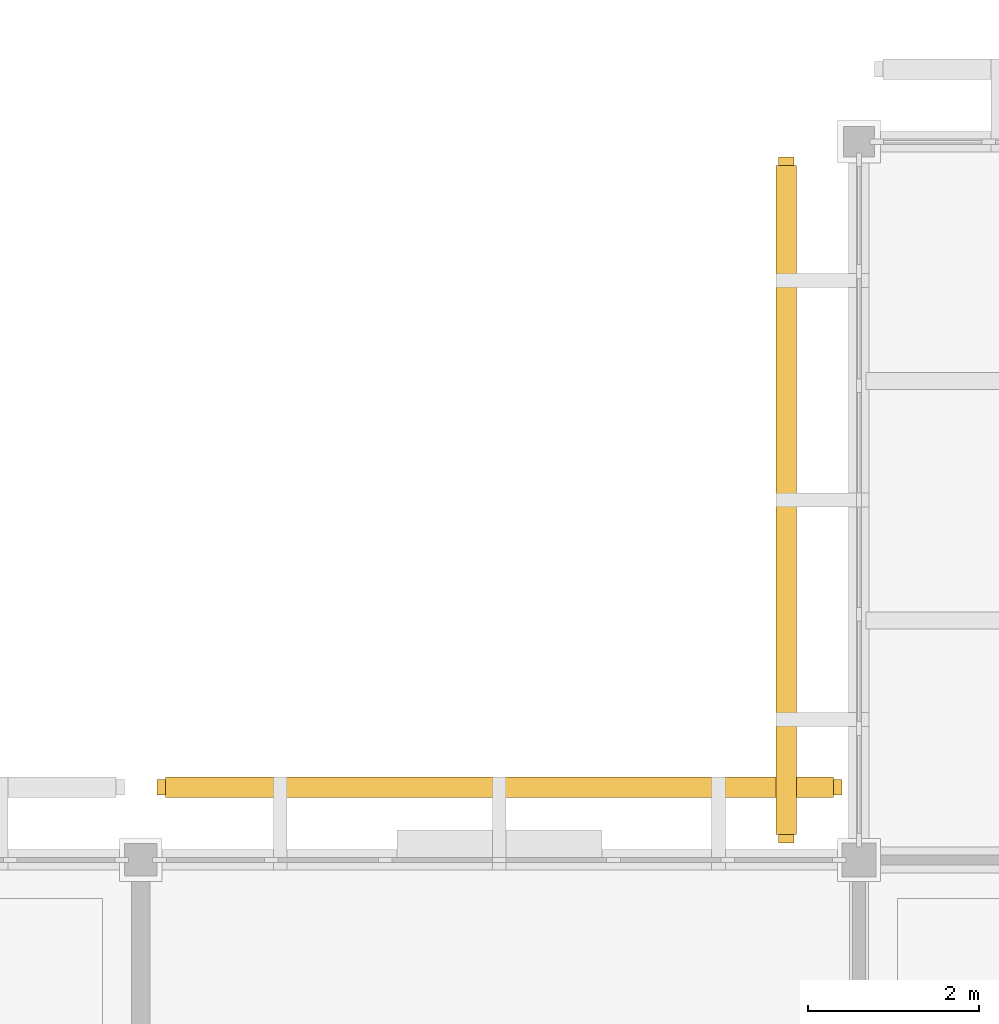
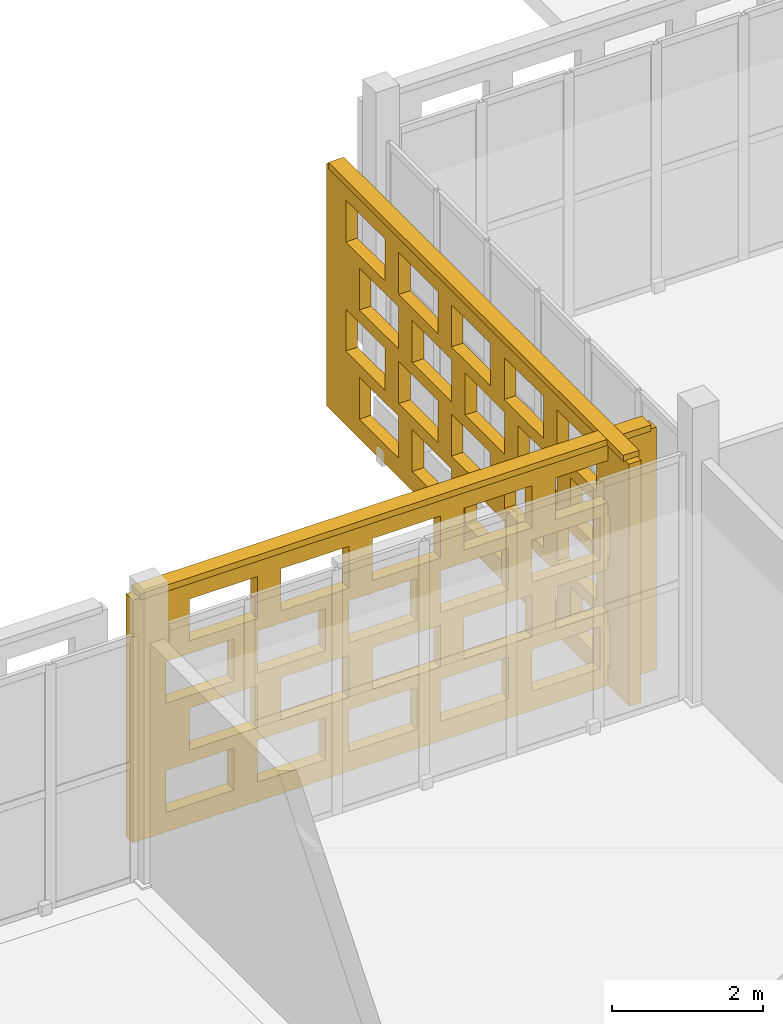
# One storey, part 156 of 203: 2 coverings, 2 shading devices, 40 openings.
"""IFC4 building model written with IfcOpenShell, lengths in metres."""

from ifc_helpers import new_model, si_unit, direction, frame, frame_2d, origin, origin_2d, place, context, subcontext, project, spatial, rectangle, extrude, material, layer, layer_set, type_object, element, save


model = new_model("IFC4")

# Units and contexts
model_context = context("Model", 3, precision=1e-05, world=origin(), true_north=direction((0.0, 1.0)))
body_context = subcontext(model_context, "Body", "Model", "MODEL_VIEW")
ifc_project = project(units=[si_unit("LENGTHUNIT", "METRE"), si_unit("AREAUNIT", "SQUARE_METRE"), si_unit("VOLUMEUNIT", "CUBIC_METRE"), si_unit("PLANEANGLEUNIT", "RADIAN"), si_unit("MASSUNIT", "GRAM", prefix="KILO")], contexts=[model_context])

# Site, building, storey
site_placement = place(None, origin())
site = spatial("IfcSite", under=ifc_project, at=site_placement, CompositionType="ELEMENT")
building_placement = place(site_placement, origin())
building = spatial("IfcBuilding", under=site, at=building_placement, Name="Varnapada Polytechnic", CompositionType="ELEMENT")
storey_placement = place(building_placement, frame((0.0, 0.0, 4.800048828125)))
storey = spatial("IfcBuildingStorey", under=building, at=storey_placement, Name="L01", CompositionType="ELEMENT", Elevation=4.800048828125)

# Covering, openings
ifc_material = material(Name="Earth-toned architectural terracotta screen block", Category="masonry")
ifc_layer_1 = layer(ifc_material, 0.1201171875)
ifc_layer_set_1 = layer_set([ifc_layer_1], Name="Earth-toned architectural terracotta screen block")
covering_type = type_object("IfcCoveringType", Name="Terracotta Screen Cladding CLD-01", PredefinedType="CLADDING", material=ifc_layer_set_1)
covering_1_placement = place(storey_placement, frame((117.7900390625, 42.85009765625, 0.0), z_axis=(0.0, 0.0, 1.0), x_axis=(1.0, 0.0, 0.0)))
covering_1 = element("IfcCovering", 1, at=covering_1_placement, inside=storey, type_object=covering_type, Name="L01 perforated terracotta block screen (97)", PredefinedType="CLADDING", context=body_context, shape_type="SweptSolid", body=[
    extrude(rectangle(XDim=8.010009765625, YDim=0.179931640625, at=frame_2d((4.0048828125, 0.0))), origin(), (0.0, 0.0, 1.0), 3.919921875),
])
opening_1_placement = place(covering_1_placement, frame((0.5048828125, 0.0, 0.313720703125)))
element("IfcOpeningElement", 2, at=opening_1_placement, cuts=covering_1, Name="Screen perforation TBS-L01-096.1", PredefinedType="OPENING", context=body_context, shape_type="SweptSolid", body=[
    extrude(rectangle(XDim=1.0400390625, YDim=0.679931640625, at=frame_2d((0.52001953125, 0.33984375))), frame((0.0, 0.099853515625, 0.0), z_axis=(0.0, -1.0, 0.0), x_axis=(1.0, 0.0, 0.0)), (0.0, 0.0, 1.0), 0.199951171875),
])
opening_2_placement = place(covering_1_placement, frame((1.905029296875, 0.0, 0.313720703125)))
element("IfcOpeningElement", 3, at=opening_2_placement, cuts=covering_1, Name="Screen perforation TBS-L01-096.2", PredefinedType="OPENING", context=body_context, shape_type="SweptSolid", body=[
    extrude(rectangle(XDim=1.0400390625, YDim=0.679931640625, at=frame_2d((0.52001953125, 0.33984375))), frame((0.0, 0.099853515625, 0.0), z_axis=(0.0, -1.0, 0.0), x_axis=(1.0, 0.0, 0.0)), (0.0, 0.0, 1.0), 0.199951171875),
])
opening_3_placement = place(covering_1_placement, frame((3.304931640625, 0.0, 0.313720703125)))
element("IfcOpeningElement", 4, at=opening_3_placement, cuts=covering_1, Name="Screen perforation TBS-L01-096.3", PredefinedType="OPENING", context=body_context, shape_type="SweptSolid", body=[
    extrude(rectangle(XDim=1.0400390625, YDim=0.679931640625, at=frame_2d((0.52001953125, 0.33984375))), frame((0.0, 0.099853515625, 0.0), z_axis=(0.0, -1.0, 0.0), x_axis=(1.0, 0.0, 0.0)), (0.0, 0.0, 1.0), 0.199951171875),
])
opening_4_placement = place(covering_1_placement, frame((4.705078125, 0.0, 0.313720703125)))
element("IfcOpeningElement", 5, at=opening_4_placement, cuts=covering_1, Name="Screen perforation TBS-L01-096.4", PredefinedType="OPENING", context=body_context, shape_type="SweptSolid", body=[
    extrude(rectangle(XDim=1.0400390625, YDim=0.679931640625, at=frame_2d((0.52001953125, 0.33984375))), frame((0.0, 0.099853515625, 0.0), z_axis=(0.0, -1.0, 0.0), x_axis=(1.0, 0.0, 0.0)), (0.0, 0.0, 1.0), 0.199951171875),
])
opening_5_placement = place(covering_1_placement, frame((6.10498046875, 0.0, 0.313720703125)))
element("IfcOpeningElement", 6, at=opening_5_placement, cuts=covering_1, Name="Screen perforation TBS-L01-096.5", PredefinedType="OPENING", context=body_context, shape_type="SweptSolid", body=[
    extrude(rectangle(XDim=1.0400390625, YDim=0.679931640625, at=frame_2d((0.52001953125, 0.33984375))), frame((0.0, 0.099853515625, 0.0), z_axis=(0.0, -1.0, 0.0), x_axis=(1.0, 0.0, 0.0)), (0.0, 0.0, 1.0), 0.199951171875),
])
opening_6_placement = place(covering_1_placement, frame((0.864990234375, 0.0, 1.195556640625)))
element("IfcOpeningElement", 7, at=opening_6_placement, cuts=covering_1, Name="Screen perforation TBS-L01-096.6", PredefinedType="OPENING", context=body_context, shape_type="SweptSolid", body=[
    extrude(rectangle(XDim=1.0400390625, YDim=0.679931640625, at=frame_2d((0.52001953125, 0.33984375))), frame((0.0, 0.099853515625, 0.0), z_axis=(0.0, -1.0, 0.0), x_axis=(1.0, 0.0, 0.0)), (0.0, 0.0, 1.0), 0.199951171875),
])
opening_7_placement = place(covering_1_placement, frame((2.264892578125, 0.0, 1.195556640625)))
element("IfcOpeningElement", 8, at=opening_7_placement, cuts=covering_1, Name="Screen perforation TBS-L01-096.7", PredefinedType="OPENING", context=body_context, shape_type="SweptSolid", body=[
    extrude(rectangle(XDim=1.0400390625, YDim=0.679931640625, at=frame_2d((0.52001953125, 0.33984375))), frame((0.0, 0.099853515625, 0.0), z_axis=(0.0, -1.0, 0.0), x_axis=(1.0, 0.0, 0.0)), (0.0, 0.0, 1.0), 0.199951171875),
])
opening_8_placement = place(covering_1_placement, frame((3.6650390625, 0.0, 1.195556640625)))
element("IfcOpeningElement", 9, at=opening_8_placement, cuts=covering_1, Name="Screen perforation TBS-L01-096.8", PredefinedType="OPENING", context=body_context, shape_type="SweptSolid", body=[
    extrude(rectangle(XDim=1.0400390625, YDim=0.679931640625, at=frame_2d((0.52001953125, 0.33984375))), frame((0.0, 0.099853515625, 0.0), z_axis=(0.0, -1.0, 0.0), x_axis=(1.0, 0.0, 0.0)), (0.0, 0.0, 1.0), 0.199951171875),
])
opening_9_placement = place(covering_1_placement, frame((5.06494140625, 0.0, 1.195556640625)))
element("IfcOpeningElement", 10, at=opening_9_placement, cuts=covering_1, Name="Screen perforation TBS-L01-096.9", PredefinedType="OPENING", context=body_context, shape_type="SweptSolid", body=[
    extrude(rectangle(XDim=1.0400390625, YDim=0.679931640625, at=frame_2d((0.52001953125, 0.33984375))), frame((0.0, 0.099853515625, 0.0), z_axis=(0.0, -1.0, 0.0), x_axis=(1.0, 0.0, 0.0)), (0.0, 0.0, 1.0), 0.199951171875),
])
opening_10_placement = place(covering_1_placement, frame((6.465087890625, 0.0, 1.195556640625)))
element("IfcOpeningElement", 11, at=opening_10_placement, cuts=covering_1, Name="Screen perforation TBS-L01-096.10", PredefinedType="OPENING", context=body_context, shape_type="SweptSolid", body=[
    extrude(rectangle(XDim=1.0400390625, YDim=0.679931640625, at=frame_2d((0.52001953125, 0.33984375))), frame((0.0, 0.099853515625, 0.0), z_axis=(0.0, -1.0, 0.0), x_axis=(1.0, 0.0, 0.0)), (0.0, 0.0, 1.0), 0.199951171875),
])
opening_11_placement = place(covering_1_placement, frame((0.5048828125, 0.0, 2.07763671875)))
element("IfcOpeningElement", 12, at=opening_11_placement, cuts=covering_1, Name="Screen perforation TBS-L01-096.11", PredefinedType="OPENING", context=body_context, shape_type="SweptSolid", body=[
    extrude(rectangle(XDim=1.0400390625, YDim=0.679931640625, at=frame_2d((0.52001953125, 0.33984375))), frame((0.0, 0.099853515625, 0.0), z_axis=(0.0, -1.0, 0.0), x_axis=(1.0, 0.0, 0.0)), (0.0, 0.0, 1.0), 0.199951171875),
])
opening_12_placement = place(covering_1_placement, frame((1.905029296875, 0.0, 2.07763671875)))
element("IfcOpeningElement", 13, at=opening_12_placement, cuts=covering_1, Name="Screen perforation TBS-L01-096.12", PredefinedType="OPENING", context=body_context, shape_type="SweptSolid", body=[
    extrude(rectangle(XDim=1.0400390625, YDim=0.679931640625, at=frame_2d((0.52001953125, 0.33984375))), frame((0.0, 0.099853515625, 0.0), z_axis=(0.0, -1.0, 0.0), x_axis=(1.0, 0.0, 0.0)), (0.0, 0.0, 1.0), 0.199951171875),
])
opening_13_placement = place(covering_1_placement, frame((3.304931640625, 0.0, 2.07763671875)))
element("IfcOpeningElement", 14, at=opening_13_placement, cuts=covering_1, Name="Screen perforation TBS-L01-096.13", PredefinedType="OPENING", context=body_context, shape_type="SweptSolid", body=[
    extrude(rectangle(XDim=1.0400390625, YDim=0.679931640625, at=frame_2d((0.52001953125, 0.33984375))), frame((0.0, 0.099853515625, 0.0), z_axis=(0.0, -1.0, 0.0), x_axis=(1.0, 0.0, 0.0)), (0.0, 0.0, 1.0), 0.199951171875),
])
opening_14_placement = place(covering_1_placement, frame((4.705078125, 0.0, 2.07763671875)))
element("IfcOpeningElement", 15, at=opening_14_placement, cuts=covering_1, Name="Screen perforation TBS-L01-096.14", PredefinedType="OPENING", context=body_context, shape_type="SweptSolid", body=[
    extrude(rectangle(XDim=1.0400390625, YDim=0.679931640625, at=frame_2d((0.52001953125, 0.33984375))), frame((0.0, 0.099853515625, 0.0), z_axis=(0.0, -1.0, 0.0), x_axis=(1.0, 0.0, 0.0)), (0.0, 0.0, 1.0), 0.199951171875),
])
opening_15_placement = place(covering_1_placement, frame((6.10498046875, 0.0, 2.07763671875)))
element("IfcOpeningElement", 16, at=opening_15_placement, cuts=covering_1, Name="Screen perforation TBS-L01-096.15", PredefinedType="OPENING", context=body_context, shape_type="SweptSolid", body=[
    extrude(rectangle(XDim=1.0400390625, YDim=0.679931640625, at=frame_2d((0.52001953125, 0.33984375))), frame((0.0, 0.099853515625, 0.0), z_axis=(0.0, -1.0, 0.0), x_axis=(1.0, 0.0, 0.0)), (0.0, 0.0, 1.0), 0.199951171875),
])
opening_16_placement = place(covering_1_placement, frame((0.864990234375, 0.0, 2.959716796875)))
element("IfcOpeningElement", 17, at=opening_16_placement, cuts=covering_1, Name="Screen perforation TBS-L01-096.16", PredefinedType="OPENING", context=body_context, shape_type="SweptSolid", body=[
    extrude(rectangle(XDim=1.0400390625, YDim=0.679931640625, at=frame_2d((0.52001953125, 0.33984375))), frame((0.0, 0.099853515625, 0.0), z_axis=(0.0, -1.0, 0.0), x_axis=(1.0, 0.0, 0.0)), (0.0, 0.0, 1.0), 0.199951171875),
])
opening_17_placement = place(covering_1_placement, frame((2.264892578125, 0.0, 2.959716796875)))
element("IfcOpeningElement", 18, at=opening_17_placement, cuts=covering_1, Name="Screen perforation TBS-L01-096.17", PredefinedType="OPENING", context=body_context, shape_type="SweptSolid", body=[
    extrude(rectangle(XDim=1.0400390625, YDim=0.679931640625, at=frame_2d((0.52001953125, 0.33984375))), frame((0.0, 0.099853515625, 0.0), z_axis=(0.0, -1.0, 0.0), x_axis=(1.0, 0.0, 0.0)), (0.0, 0.0, 1.0), 0.199951171875),
])
opening_18_placement = place(covering_1_placement, frame((3.6650390625, 0.0, 2.959716796875)))
element("IfcOpeningElement", 19, at=opening_18_placement, cuts=covering_1, Name="Screen perforation TBS-L01-096.18", PredefinedType="OPENING", context=body_context, shape_type="SweptSolid", body=[
    extrude(rectangle(XDim=1.0400390625, YDim=0.679931640625, at=frame_2d((0.52001953125, 0.33984375))), frame((0.0, 0.099853515625, 0.0), z_axis=(0.0, -1.0, 0.0), x_axis=(1.0, 0.0, 0.0)), (0.0, 0.0, 1.0), 0.199951171875),
])
opening_19_placement = place(covering_1_placement, frame((5.06494140625, 0.0, 2.959716796875)))
element("IfcOpeningElement", 20, at=opening_19_placement, cuts=covering_1, Name="Screen perforation TBS-L01-096.19", PredefinedType="OPENING", context=body_context, shape_type="SweptSolid", body=[
    extrude(rectangle(XDim=1.0400390625, YDim=0.679931640625, at=frame_2d((0.52001953125, 0.33984375))), frame((0.0, 0.099853515625, 0.0), z_axis=(0.0, -1.0, 0.0), x_axis=(1.0, 0.0, 0.0)), (0.0, 0.0, 1.0), 0.199951171875),
])
opening_20_placement = place(covering_1_placement, frame((6.465087890625, 0.0, 2.959716796875)))
element("IfcOpeningElement", 21, at=opening_20_placement, cuts=covering_1, Name="Screen perforation TBS-L01-096.20", PredefinedType="OPENING", context=body_context, shape_type="SweptSolid", body=[
    extrude(rectangle(XDim=1.0400390625, YDim=0.679931640625, at=frame_2d((0.52001953125, 0.33984375))), frame((0.0, 0.099853515625, 0.0), z_axis=(0.0, -1.0, 0.0), x_axis=(1.0, 0.0, 0.0)), (0.0, 0.0, 1.0), 0.199951171875),
])

covering_2_placement = place(storey_placement, frame((125.14990234375, 42.199951171875, 0.0), z_axis=(0.0, 0.0, 1.0), x_axis=(0.0, 1.0, 0.0)))
covering_2 = element("IfcCovering", 22, at=covering_2_placement, inside=storey, type_object=covering_type, Name="L01 perforated terracotta block screen (106)", PredefinedType="CLADDING", context=body_context, shape_type="SweptSolid", body=[
    extrude(rectangle(XDim=8.02001953125, YDim=0.179931640625, at=frame_2d((4.010009765625, 0.0))), origin(), (0.0, 0.0, 1.0), 3.919921875),
])
opening_21_placement = place(covering_2_placement, frame((0.510009765625, 0.0, 0.313720703125)))
element("IfcOpeningElement", 23, at=opening_21_placement, cuts=covering_2, Name="Screen perforation TBS-L01-105.1", PredefinedType="OPENING", context=body_context, shape_type="SweptSolid", body=[
    extrude(rectangle(XDim=1.0400390625, YDim=0.679931640625, at=frame_2d((0.52001953125, 0.33984375))), frame((0.0, 0.099853515625, 0.0), z_axis=(0.0, -1.0, 0.0), x_axis=(1.0, 0.0, 0.0)), (0.0, 0.0, 1.0), 0.199951171875),
])
opening_22_placement = place(covering_2_placement, frame((1.909912109375, 0.0, 0.313720703125)))
element("IfcOpeningElement", 24, at=opening_22_placement, cuts=covering_2, Name="Screen perforation TBS-L01-105.2", PredefinedType="OPENING", context=body_context, shape_type="SweptSolid", body=[
    extrude(rectangle(XDim=1.0400390625, YDim=0.679931640625, at=frame_2d((0.52001953125, 0.33984375))), frame((0.0, 0.099853515625, 0.0), z_axis=(0.0, -1.0, 0.0), x_axis=(1.0, 0.0, 0.0)), (0.0, 0.0, 1.0), 0.199951171875),
])
opening_23_placement = place(covering_2_placement, frame((3.31005859375, 0.0, 0.313720703125)))
element("IfcOpeningElement", 25, at=opening_23_placement, cuts=covering_2, Name="Screen perforation TBS-L01-105.3", PredefinedType="OPENING", context=body_context, shape_type="SweptSolid", body=[
    extrude(rectangle(XDim=1.0400390625, YDim=0.679931640625, at=frame_2d((0.52001953125, 0.33984375))), frame((0.0, 0.099853515625, 0.0), z_axis=(0.0, -1.0, 0.0), x_axis=(1.0, 0.0, 0.0)), (0.0, 0.0, 1.0), 0.199951171875),
])
opening_24_placement = place(covering_2_placement, frame((4.7099609375, 0.0, 0.313720703125)))
element("IfcOpeningElement", 26, at=opening_24_placement, cuts=covering_2, Name="Screen perforation TBS-L01-105.4", PredefinedType="OPENING", context=body_context, shape_type="SweptSolid", body=[
    extrude(rectangle(XDim=1.0400390625, YDim=0.679931640625, at=frame_2d((0.52001953125, 0.33984375))), frame((0.0, 0.099853515625, 0.0), z_axis=(0.0, -1.0, 0.0), x_axis=(1.0, 0.0, 0.0)), (0.0, 0.0, 1.0), 0.199951171875),
])
opening_25_placement = place(covering_2_placement, frame((6.110107421875, 0.0, 0.313720703125)))
element("IfcOpeningElement", 27, at=opening_25_placement, cuts=covering_2, Name="Screen perforation TBS-L01-105.5", PredefinedType="OPENING", context=body_context, shape_type="SweptSolid", body=[
    extrude(rectangle(XDim=1.0400390625, YDim=0.679931640625, at=frame_2d((0.52001953125, 0.33984375))), frame((0.0, 0.099853515625, 0.0), z_axis=(0.0, -1.0, 0.0), x_axis=(1.0, 0.0, 0.0)), (0.0, 0.0, 1.0), 0.199951171875),
])
opening_26_placement = place(covering_2_placement, frame((0.8701171875, 0.0, 1.195556640625)))
element("IfcOpeningElement", 28, at=opening_26_placement, cuts=covering_2, Name="Screen perforation TBS-L01-105.6", PredefinedType="OPENING", context=body_context, shape_type="SweptSolid", body=[
    extrude(rectangle(XDim=1.0400390625, YDim=0.679931640625, at=frame_2d((0.52001953125, 0.33984375))), frame((0.0, 0.099853515625, 0.0), z_axis=(0.0, -1.0, 0.0), x_axis=(1.0, 0.0, 0.0)), (0.0, 0.0, 1.0), 0.199951171875),
])
opening_27_placement = place(covering_2_placement, frame((2.27001953125, 0.0, 1.195556640625)))
element("IfcOpeningElement", 29, at=opening_27_placement, cuts=covering_2, Name="Screen perforation TBS-L01-105.7", PredefinedType="OPENING", context=body_context, shape_type="SweptSolid", body=[
    extrude(rectangle(XDim=1.0400390625, YDim=0.679931640625, at=frame_2d((0.52001953125, 0.33984375))), frame((0.0, 0.099853515625, 0.0), z_axis=(0.0, -1.0, 0.0), x_axis=(1.0, 0.0, 0.0)), (0.0, 0.0, 1.0), 0.199951171875),
])
opening_28_placement = place(covering_2_placement, frame((3.669921875, 0.0, 1.195556640625)))
element("IfcOpeningElement", 30, at=opening_28_placement, cuts=covering_2, Name="Screen perforation TBS-L01-105.8", PredefinedType="OPENING", context=body_context, shape_type="SweptSolid", body=[
    extrude(rectangle(XDim=1.0400390625, YDim=0.679931640625, at=frame_2d((0.52001953125, 0.33984375))), frame((0.0, 0.099853515625, 0.0), z_axis=(0.0, -1.0, 0.0), x_axis=(1.0, 0.0, 0.0)), (0.0, 0.0, 1.0), 0.199951171875),
])
opening_29_placement = place(covering_2_placement, frame((5.070068359375, 0.0, 1.195556640625)))
element("IfcOpeningElement", 31, at=opening_29_placement, cuts=covering_2, Name="Screen perforation TBS-L01-105.9", PredefinedType="OPENING", context=body_context, shape_type="SweptSolid", body=[
    extrude(rectangle(XDim=1.0400390625, YDim=0.679931640625, at=frame_2d((0.52001953125, 0.33984375))), frame((0.0, 0.099853515625, 0.0), z_axis=(0.0, -1.0, 0.0), x_axis=(1.0, 0.0, 0.0)), (0.0, 0.0, 1.0), 0.199951171875),
])
opening_30_placement = place(covering_2_placement, frame((6.469970703125, 0.0, 1.195556640625)))
element("IfcOpeningElement", 32, at=opening_30_placement, cuts=covering_2, Name="Screen perforation TBS-L01-105.10", PredefinedType="OPENING", context=body_context, shape_type="SweptSolid", body=[
    extrude(rectangle(XDim=1.0400390625, YDim=0.679931640625, at=frame_2d((0.52001953125, 0.33984375))), frame((0.0, 0.099853515625, 0.0), z_axis=(0.0, -1.0, 0.0), x_axis=(1.0, 0.0, 0.0)), (0.0, 0.0, 1.0), 0.199951171875),
])
opening_31_placement = place(covering_2_placement, frame((0.510009765625, 0.0, 2.07763671875)))
element("IfcOpeningElement", 33, at=opening_31_placement, cuts=covering_2, Name="Screen perforation TBS-L01-105.11", PredefinedType="OPENING", context=body_context, shape_type="SweptSolid", body=[
    extrude(rectangle(XDim=1.0400390625, YDim=0.679931640625, at=frame_2d((0.52001953125, 0.33984375))), frame((0.0, 0.099853515625, 0.0), z_axis=(0.0, -1.0, 0.0), x_axis=(1.0, 0.0, 0.0)), (0.0, 0.0, 1.0), 0.199951171875),
])
opening_32_placement = place(covering_2_placement, frame((1.909912109375, 0.0, 2.07763671875)))
element("IfcOpeningElement", 34, at=opening_32_placement, cuts=covering_2, Name="Screen perforation TBS-L01-105.12", PredefinedType="OPENING", context=body_context, shape_type="SweptSolid", body=[
    extrude(rectangle(XDim=1.0400390625, YDim=0.679931640625, at=frame_2d((0.52001953125, 0.33984375))), frame((0.0, 0.099853515625, 0.0), z_axis=(0.0, -1.0, 0.0), x_axis=(1.0, 0.0, 0.0)), (0.0, 0.0, 1.0), 0.199951171875),
])
opening_33_placement = place(covering_2_placement, frame((3.31005859375, 0.0, 2.07763671875)))
element("IfcOpeningElement", 35, at=opening_33_placement, cuts=covering_2, Name="Screen perforation TBS-L01-105.13", PredefinedType="OPENING", context=body_context, shape_type="SweptSolid", body=[
    extrude(rectangle(XDim=1.0400390625, YDim=0.679931640625, at=frame_2d((0.52001953125, 0.33984375))), frame((0.0, 0.099853515625, 0.0), z_axis=(0.0, -1.0, 0.0), x_axis=(1.0, 0.0, 0.0)), (0.0, 0.0, 1.0), 0.199951171875),
])
opening_34_placement = place(covering_2_placement, frame((4.7099609375, 0.0, 2.07763671875)))
element("IfcOpeningElement", 36, at=opening_34_placement, cuts=covering_2, Name="Screen perforation TBS-L01-105.14", PredefinedType="OPENING", context=body_context, shape_type="SweptSolid", body=[
    extrude(rectangle(XDim=1.0400390625, YDim=0.679931640625, at=frame_2d((0.52001953125, 0.33984375))), frame((0.0, 0.099853515625, 0.0), z_axis=(0.0, -1.0, 0.0), x_axis=(1.0, 0.0, 0.0)), (0.0, 0.0, 1.0), 0.199951171875),
])
opening_35_placement = place(covering_2_placement, frame((6.110107421875, 0.0, 2.07763671875)))
element("IfcOpeningElement", 37, at=opening_35_placement, cuts=covering_2, Name="Screen perforation TBS-L01-105.15", PredefinedType="OPENING", context=body_context, shape_type="SweptSolid", body=[
    extrude(rectangle(XDim=1.0400390625, YDim=0.679931640625, at=frame_2d((0.52001953125, 0.33984375))), frame((0.0, 0.099853515625, 0.0), z_axis=(0.0, -1.0, 0.0), x_axis=(1.0, 0.0, 0.0)), (0.0, 0.0, 1.0), 0.199951171875),
])
opening_36_placement = place(covering_2_placement, frame((0.8701171875, 0.0, 2.959716796875)))
element("IfcOpeningElement", 38, at=opening_36_placement, cuts=covering_2, Name="Screen perforation TBS-L01-105.16", PredefinedType="OPENING", context=body_context, shape_type="SweptSolid", body=[
    extrude(rectangle(XDim=1.0400390625, YDim=0.679931640625, at=frame_2d((0.52001953125, 0.33984375))), frame((0.0, 0.099853515625, 0.0), z_axis=(0.0, -1.0, 0.0), x_axis=(1.0, 0.0, 0.0)), (0.0, 0.0, 1.0), 0.199951171875),
])
opening_37_placement = place(covering_2_placement, frame((2.27001953125, 0.0, 2.959716796875)))
element("IfcOpeningElement", 39, at=opening_37_placement, cuts=covering_2, Name="Screen perforation TBS-L01-105.17", PredefinedType="OPENING", context=body_context, shape_type="SweptSolid", body=[
    extrude(rectangle(XDim=1.0400390625, YDim=0.679931640625, at=frame_2d((0.52001953125, 0.33984375))), frame((0.0, 0.099853515625, 0.0), z_axis=(0.0, -1.0, 0.0), x_axis=(1.0, 0.0, 0.0)), (0.0, 0.0, 1.0), 0.199951171875),
])
opening_38_placement = place(covering_2_placement, frame((3.669921875, 0.0, 2.959716796875)))
element("IfcOpeningElement", 40, at=opening_38_placement, cuts=covering_2, Name="Screen perforation TBS-L01-105.18", PredefinedType="OPENING", context=body_context, shape_type="SweptSolid", body=[
    extrude(rectangle(XDim=1.0400390625, YDim=0.679931640625, at=frame_2d((0.52001953125, 0.33984375))), frame((0.0, 0.099853515625, 0.0), z_axis=(0.0, -1.0, 0.0), x_axis=(1.0, 0.0, 0.0)), (0.0, 0.0, 1.0), 0.199951171875),
])
opening_39_placement = place(covering_2_placement, frame((5.070068359375, 0.0, 2.959716796875)))
element("IfcOpeningElement", 41, at=opening_39_placement, cuts=covering_2, Name="Screen perforation TBS-L01-105.19", PredefinedType="OPENING", context=body_context, shape_type="SweptSolid", body=[
    extrude(rectangle(XDim=1.0400390625, YDim=0.679931640625, at=frame_2d((0.52001953125, 0.33984375))), frame((0.0, 0.099853515625, 0.0), z_axis=(0.0, -1.0, 0.0), x_axis=(1.0, 0.0, 0.0)), (0.0, 0.0, 1.0), 0.199951171875),
])
opening_40_placement = place(covering_2_placement, frame((6.469970703125, 0.0, 2.959716796875)))
element("IfcOpeningElement", 42, at=opening_40_placement, cuts=covering_2, Name="Screen perforation TBS-L01-105.20", PredefinedType="OPENING", context=body_context, shape_type="SweptSolid", body=[
    extrude(rectangle(XDim=1.0400390625, YDim=0.679931640625, at=frame_2d((0.52001953125, 0.33984375))), frame((0.0, 0.099853515625, 0.0), z_axis=(0.0, -1.0, 0.0), x_axis=(1.0, 0.0, 0.0)), (0.0, 0.0, 1.0), 0.199951171875),
])

# Shading devices
ifc_layer_2 = layer(ifc_material, 0.179931640625)
ifc_layer_set_2 = layer_set([ifc_layer_2], Name="Earth-toned architectural terracotta screen block")
shading_device_type = type_object("IfcShadingDeviceType", Name="Terracotta Screen SCR-02", PredefinedType="USERDEFINED", material=ifc_layer_set_2)
shading_device_1_placement = place(storey_placement, frame((121.794921875, 42.85009765625, 3.909912109375), z_axis=(0.0, 0.0, 1.0), x_axis=(1.0, 0.0, 0.0)))
element("IfcShadingDevice", 43, at=shading_device_1_placement, inside=storey, type_object=shading_device_type, Name="L01 perforated terracotta screen hood 176", ObjectType="SCREEN", PredefinedType="USERDEFINED", context=body_context, shape_type="SweptSolid", body=[
    extrude(rectangle(XDim=7.81005859375, YDim=0.239990234375, at=origin_2d()), origin(), (0.0, 0.0, 1.0), 0.10009765625),
])
shading_device_2_placement = place(storey_placement, frame((125.14990234375, 46.2099609375, 3.909912109375), z_axis=(0.0, 0.0, 1.0), x_axis=(0.0, 1.0, 0.0)))
element("IfcShadingDevice", 44, at=shading_device_2_placement, inside=storey, type_object=shading_device_type, Name="L01 perforated terracotta screen hood 185", ObjectType="SCREEN", PredefinedType="USERDEFINED", context=body_context, shape_type="SweptSolid", body=[
    extrude(rectangle(XDim=7.820068359375, YDim=0.239990234375, at=origin_2d()), origin(), (0.0, 0.0, 1.0), 0.10009765625),
])

save(model, "model.ifc")
